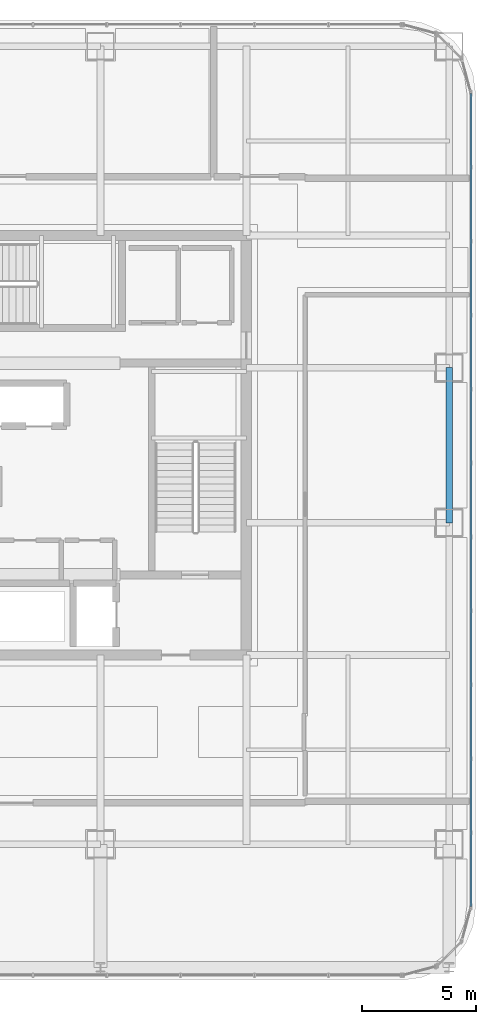
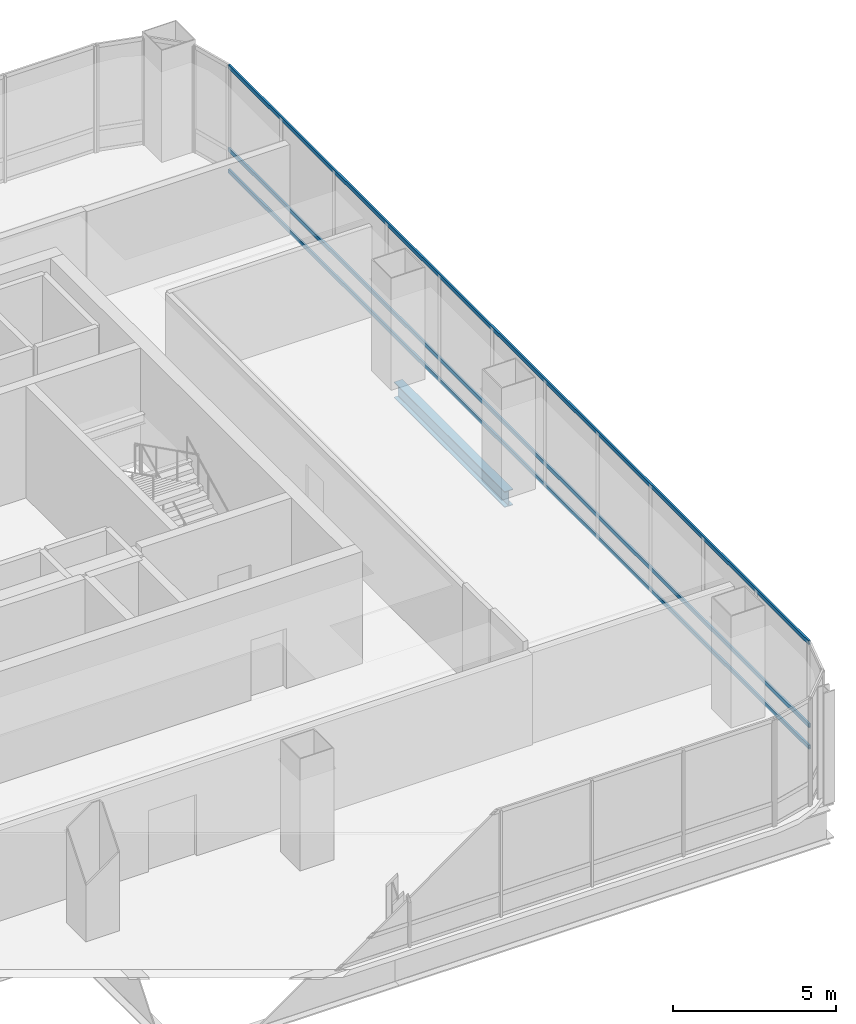
# One storey, part 21 of 42: 3 members, 1 beam, 1 element without a shape of its own.
"""IFC4 building model written with IfcOpenShell, lengths in metres."""

from ifc_helpers import new_model, si_unit, direction, frame, origin, origin_2d, place, context, subcontext, project, spatial, hollow_rectangle, i_section, extrude, material, material_profile, profile_set, type_object, element, aggregate, save


model = new_model("IFC4")

# Units and contexts
model_context = context("Model", 3, precision=1e-05, world=origin(), true_north=direction((0.0, 1.0)))
body_context = subcontext(model_context, "Body", "Model", "MODEL_VIEW")
ifc_project = project(units=[si_unit("LENGTHUNIT", "METRE"), si_unit("AREAUNIT", "SQUARE_METRE"), si_unit("VOLUMEUNIT", "CUBIC_METRE"), si_unit("PLANEANGLEUNIT", "RADIAN"), si_unit("MASSUNIT", "GRAM", prefix="KILO")], contexts=[model_context])

# Site, building, storey
site_placement = place(None, origin())
site = spatial("IfcSite", under=ifc_project, at=site_placement, CompositionType="ELEMENT")
building_placement = place(site_placement, origin())
building = spatial("IfcBuilding", under=site, at=building_placement, Name="Punatoya Terracotta Tower", CompositionType="ELEMENT")
storey_placement = place(building_placement, frame((0.0, 0.0, 325.800048828125)))
storey = spatial("IfcBuildingStorey", under=building, at=storey_placement, Name="L77", CompositionType="ELEMENT", Elevation=325.800048828125)

# Beam
ifc_material_1 = material(Name="Steel S355", Category="steel")
ifc_material_profile_1 = material_profile(ifc_material_1, i_section(OverallWidth=0.300048828125, OverallDepth=0.60009765625, WebThickness=0.015380859375, FlangeThickness=0.030029296875, FilletRadius=0.01806640625, at=origin_2d()))
ifc_profile_set_1 = profile_set([ifc_material_profile_1], Name="Steel S355")
beam_type = type_object("IfcBeamType", Name="BM-PRI-600", PredefinedType="BEAM", material=ifc_profile_set_1)
beam_placement = place(storey_placement, frame((19.10009765625, -3.39990234375, -0.5), z_axis=(0.0, 1.0, 0.0), x_axis=(-1.0, 0.0, 0.0)))
element("IfcBeam", 1, at=beam_placement, inside=storey, type_object=beam_type, Name="BM-L77-RG-E2", PredefinedType="BEAM", context=body_context, shape_type="SweptSolid", body=[
    extrude(i_section(OverallWidth=0.300048828125, OverallDepth=0.60009765625, WebThickness=0.015380859375, FlangeThickness=0.030029296875, FilletRadius=0.01806640625, at=origin_2d()), origin(), (0.0, 0.0, 1.0), 6.7998046875),
])

# Curtain wall, members
ifc_material_2 = material(Name="Aluminium 6063-T6 + Double Low-E Glass", Category="aluminium")
curtain_wall_type = type_object("IfcCurtainWallType", Name="CW-OBS", PredefinedType="NOTDEFINED", material=ifc_material_2)
curtain_wall_placement = place(storey_placement, origin())
curtain_wall = element("IfcCurtainWall", 2, at=curtain_wall_placement, inside=storey, type_object=curtain_wall_type, Name="L77 Curtain Wall CW-L77-E05-1", PredefinedType="NOTDEFINED")
ifc_material_3 = material(Name="Aluminium 6063-T6", Category="aluminium")
ifc_material_profile_2 = material_profile(ifc_material_3, hollow_rectangle(XDim=0.068115234375, YDim=0.14990234375, WallThickness=0.00390625, at=origin_2d()))
ifc_profile_set_2 = profile_set([ifc_material_profile_2], Name="Aluminium 6063-T6")
member_type = type_object("IfcMemberType", Name="CW-TRN-TYP", PredefinedType="USERDEFINED", material=ifc_profile_set_2)
member_1_placement = place(storey_placement, frame((20.050048828125, -20.23681640625, 0.0400390625), z_axis=(0.0, 1.0, 0.0), x_axis=(-1.0, 0.0, 0.0)))
member_1 = element("IfcMember", 3, at=member_1_placement, type_object=member_type, Name="CW-L77-E05-1 Transom 1", ObjectType="TRANSOM", PredefinedType="USERDEFINED", context=body_context, shape_type="SweptSolid", body=[
    extrude(hollow_rectangle(XDim=0.068115234375, YDim=0.14990234375, WallThickness=0.00390625, at=origin_2d()), origin(), (0.0, 0.0, 1.0), 35.673828125),
])
member_2_placement = place(storey_placement, frame((20.050048828125, -20.23681640625, 0.849853515625), z_axis=(0.0, 1.0, 0.0), x_axis=(-1.0, 0.0, 0.0)))
member_2 = element("IfcMember", 4, at=member_2_placement, type_object=member_type, Name="CW-L77-E05-1 Transom 2", ObjectType="TRANSOM", PredefinedType="USERDEFINED", context=body_context, shape_type="SweptSolid", body=[
    extrude(hollow_rectangle(XDim=0.068115234375, YDim=0.14990234375, WallThickness=0.00390625, at=origin_2d()), origin(), (0.0, 0.0, 1.0), 35.673828125),
])
member_3_placement = place(storey_placement, frame((20.050048828125, -20.23681640625, 3.9599609375), z_axis=(0.0, 1.0, 0.0), x_axis=(-1.0, 0.0, 0.0)))
member_3 = element("IfcMember", 5, at=member_3_placement, type_object=member_type, Name="CW-L77-E05-1 Transom 3", ObjectType="TRANSOM", PredefinedType="USERDEFINED", context=body_context, shape_type="SweptSolid", body=[
    extrude(hollow_rectangle(XDim=0.068115234375, YDim=0.14990234375, WallThickness=0.00390625, at=origin_2d()), origin(), (0.0, 0.0, 1.0), 35.673828125),
])
aggregate(curtain_wall, [member_1, member_2, member_3])

save(model, "model.ifc")
